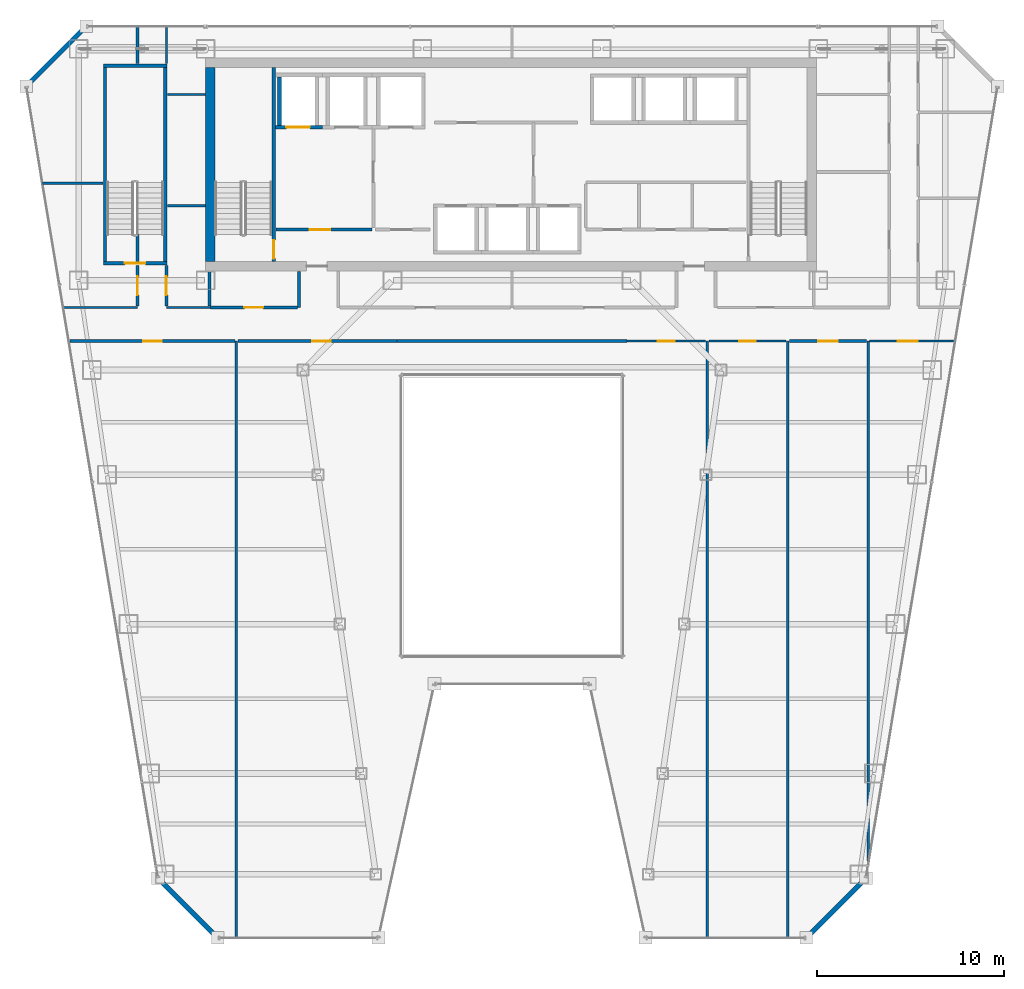
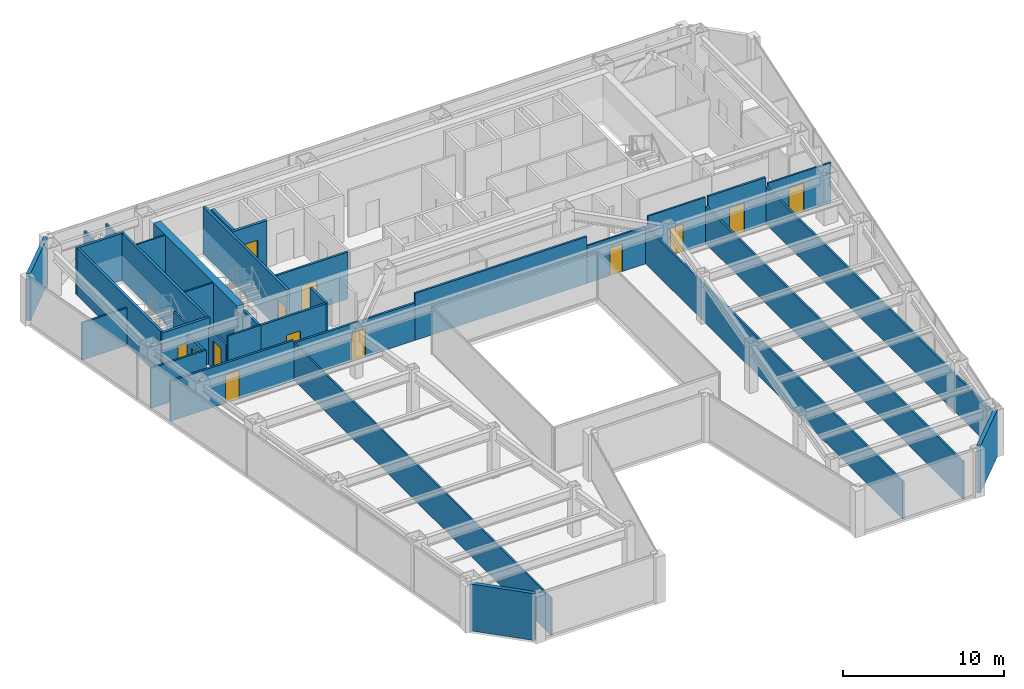
# One storey, part 31 of 37: 36 walls, 13 doors, 13 openings.
"""IFC4 building model written with IfcOpenShell, lengths in metres."""

from ifc_helpers import new_model, si_unit, direction, frame, frame_2d, origin, place, context, subcontext, project, spatial, rectangle, extrude, material, layer, layer_set, type_object, element, fill, save


model = new_model("IFC4")

# Units and contexts
model_context = context("Model", 3, precision=1e-05, world=origin(), true_north=direction((0.0, 1.0)))
body_context = subcontext(model_context, "Body", "Model", "MODEL_VIEW")
ifc_project = project(units=[si_unit("LENGTHUNIT", "METRE"), si_unit("AREAUNIT", "SQUARE_METRE"), si_unit("VOLUMEUNIT", "CUBIC_METRE"), si_unit("PLANEANGLEUNIT", "RADIAN"), si_unit("MASSUNIT", "GRAM", prefix="KILO")], contexts=[model_context])

# Site, building, storey
site_placement = place(None, origin())
site = spatial("IfcSite", under=ifc_project, at=site_placement, CompositionType="ELEMENT")
building_placement = place(site_placement, origin())
building = spatial("IfcBuilding", under=site, at=building_placement, Name="Saevonmaru Cultural Tower", CompositionType="ELEMENT")
storey_placement = place(building_placement, frame((0.0, 0.0, 141.0)))
storey = spatial("IfcBuildingStorey", under=building, at=storey_placement, Name="L30", CompositionType="ELEMENT", Elevation=141.0)

# Wall
ifc_material_1 = material(Name="Concrete C60/75", Category="concrete")
ifc_layer_1 = layer(ifc_material_1, 0.5, Name="Concrete C60/75")
ifc_layer_set_1 = layer_set([ifc_layer_1], Name="Concrete C60/75")
wall_type_1 = type_object("IfcWallType", Name="WL-CORE-500", PredefinedType="SHEAR", material=ifc_layer_set_1)
wall_1_placement = place(storey_placement, frame((13.85009765625, 43.39990234375, 0.0), z_axis=(0.0, 0.0, 1.0), x_axis=(0.0, 1.0, 0.0)))
element("IfcWall", 1, at=wall_1_placement, inside=storey, type_object=wall_type_1, Name="L30 Tower RC core shear wall W", PredefinedType="SHEAR", context=body_context, shape_type="SweptSolid", body=[
    extrude(rectangle(XDim=10.400146484375, YDim=0.5, at=frame_2d((5.2001953125, 0.0))), origin(), (0.0, 0.0, 1.0), 3.550048828125),
])

# Wall, opening, door
ifc_material_2 = material(Name="Gypsum Fireboard Partition", Category="gypsum")
ifc_layer_2 = layer(ifc_material_2, 0.14990234375, Name="Gypsum Fireboard Partition")
ifc_layer_set_2 = layer_set([ifc_layer_2], Name="Gypsum Fireboard Partition")
wall_type_2 = type_object("IfcWallType", Name="WL-CORE-PART-150", PredefinedType="PARTITIONING", material=ifc_layer_set_2)
wall_2_placement = place(storey_placement, frame((17.360107421875, 45.1201171875, 0.0), z_axis=(0.0, 0.0, 1.0), x_axis=(1.0, 0.0, 0.0)))
wall_2 = element("IfcWall", 2, at=wall_2_placement, inside=storey, type_object=wall_type_2, Name="L30 Firefighting Lift Lobby South Wall", PredefinedType="PARTITIONING", context=body_context, shape_type="SweptSolid", body=[
    extrude(rectangle(XDim=5.139892578125, YDim=0.14990234375, at=frame_2d((2.56982421875, 0.0))), origin(), (0.0, 0.0, 1.0), 3.550048828125),
])
opening_1_placement = place(wall_2_placement, frame((1.800048828125, 0.0, 0.0)))
opening_1 = element("IfcOpeningElement", 3, at=opening_1_placement, cuts=wall_2, Name="Opening FD-2", PredefinedType="OPENING", context=body_context, shape_type="SweptSolid", body=[
    extrude(rectangle(XDim=1.10009765625, YDim=2.14990234375, at=frame_2d((0.550048828125, 1.074951171875))), frame((0.0, 0.0849609375, 0.0), z_axis=(0.0, -1.0, 0.0), x_axis=(1.0, 0.0, 0.0)), (0.0, 0.0, 1.0), 0.169921875),
])
ifc_material_3 = material(Name="Satin Bronze Anodised Aluminium", Category="aluminium")
door_type_1 = type_object("IfcDoorType", Name="DR-FD60-1100", OperationType="SINGLE_SWING_LEFT", PredefinedType="DOOR", material=ifc_material_3)
door_1_placement = place(opening_1_placement, origin())
door_1 = element("IfcDoor", 4, at=door_1_placement, inside=storey, type_object=door_type_1, Name="L30 Firefighting Lift Lobby South Door", OperationType="SINGLE_SWING_LEFT", OverallHeight=2.14990234375, OverallWidth=1.10009765625, PredefinedType="DOOR", context=body_context, shape_type="SweptSolid", body=[
    extrude(rectangle(XDim=1.10009765625, YDim=2.14990234375, at=frame_2d((0.550048828125, 1.074951171875))), frame((0.0, 0.02490234375, 0.0), z_axis=(0.0, -1.0, 0.0), x_axis=(1.0, 0.0, 0.0)), (0.0, 0.0, 1.0), 0.050048828125),
])
fill(opening_1, door_1)

# Walls
ifc_material_4 = material(Name="Granite-Clad Precast Concrete C40/50", Category="masonry")
ifc_layer_3 = layer(ifc_material_4, 0.260009765625, Name="Granite-Clad Precast Concrete C40/50")
ifc_layer_set_3 = layer_set([ifc_layer_3], Name="Granite-Clad Precast Concrete C40/50")
wall_type_3 = type_object("IfcWallType", Name="WL-EXT-SPANDREL-260", PredefinedType="STANDARD", material=ifc_layer_set_3)
for number, where, z_axis, x_axis, name in (
    (5, (11.162109375, 10.286865234375, 0.0), (0.0, 0.0, 1.0), (0.70707775441, -0.707135806771, 0.0), "L30 Chamfer Corner Spandrel Wall E1"),
    (6, (45.8642578125, 7.31298828125, 0.0), (0.0, 0.0, 1.0), (0.70707775441, 0.707135806771, 0.0), "L30 Chamfer Corner Spandrel Wall E7"),
):
    element("IfcWall", number, at=place(storey_placement, frame(where, z_axis=z_axis, x_axis=x_axis)), inside=storey, type_object=wall_type_3, Name=name, PredefinedType="STANDARD", context=body_context, shape_type="SweptSolid", body=[
        extrude(rectangle(XDim=4.20556640625, YDim=0.260009765625, at=frame_2d((2.102783203125, 0.0))), origin(), (0.0, 0.0, 1.0), 3.550048828125),
    ])
wall_3_placement = place(storey_placement, frame((7.0869140625, 55.886962890625, 0.0), z_axis=(0.0, 0.0, 1.0), x_axis=(-0.707106781187, -0.707106781187, 0.0)))
element("IfcWall", 7, at=wall_3_placement, inside=storey, type_object=wall_type_3, Name="L30 Chamfer Corner Spandrel Wall E11", PredefinedType="STANDARD", context=body_context, shape_type="SweptSolid", body=[
    extrude(rectangle(XDim=4.205810546875, YDim=0.260009765625, at=frame_2d((2.10302734375, 0.0))), origin(), (0.0, 0.0, 1.0), 3.550048828125),
])

# Wall, opening, door
ifc_layer_4 = layer(ifc_material_2, 0.14990234375, Name="Gypsum Fireboard Partition")
ifc_layer_set_4 = layer_set([ifc_layer_4], Name="Gypsum Fireboard Partition")
wall_type_4 = type_object("IfcWallType", Name="WL-PART-FIRE-150", PredefinedType="PARTITIONING", material=ifc_layer_set_4)
wall_4_placement = place(storey_placement, frame((9.949951171875, 41.030029296875, 0.0), z_axis=(0.0, 0.0, 1.0), x_axis=(0.0, 1.0, 0.0)))
wall_4 = element("IfcWall", 8, at=wall_4_placement, inside=storey, type_object=wall_type_4, Name="L30 Acoustic Chamber Auditorium Corridor Wall", PredefinedType="PARTITIONING", context=body_context, shape_type="SweptSolid", body=[
    extrude(rectangle(XDim=2.169921875, YDim=0.14990234375, at=frame_2d((1.0849609375, 0.0))), origin(), (0.0, 0.0, 1.0), 2.8349609375),
])
opening_2_placement = place(wall_4_placement, frame((0.5849609375, 0.0, 0.0)))
opening_2 = element("IfcOpeningElement", 9, at=opening_2_placement, cuts=wall_4, Name="Opening ID-1B", PredefinedType="OPENING", context=body_context, shape_type="SweptSolid", body=[
    extrude(rectangle(XDim=1.0, YDim=2.14990234375, at=frame_2d((0.5, 1.074951171875))), frame((0.0, 0.0849609375, 0.0), z_axis=(0.0, -1.0, 0.0), x_axis=(1.0, 0.0, 0.0)), (0.0, 0.0, 1.0), 0.169921875),
])
ifc_material_5 = material(Name="Acoustic Stained Oak Timber", Category="wood")
door_type_2 = type_object("IfcDoorType", Name="DR-INT-1000", OperationType="SINGLE_SWING_RIGHT", PredefinedType="DOOR", material=ifc_material_5)
door_2_placement = place(opening_2_placement, origin())
door_2 = element("IfcDoor", 10, at=door_2_placement, inside=storey, type_object=door_type_2, Name="L30 Acoustic Chamber Auditorium Door", OperationType="SINGLE_SWING_LEFT", OverallHeight=2.14990234375, OverallWidth=1.0, PredefinedType="DOOR", context=body_context, shape_type="SweptSolid", body=[
    extrude(rectangle(XDim=1.0, YDim=2.14990234375, at=frame_2d((0.5, 1.074951171875))), frame((0.0, 0.02490234375, 0.0), z_axis=(0.0, -1.0, 0.0), x_axis=(1.0, 0.0, 0.0)), (0.0, 0.0, 1.0), 0.050048828125),
])
fill(opening_2, door_2)

# Walls
wall_5_placement = place(storey_placement, frame((9.949951171875, 43.419921875, 0.0), z_axis=(0.0, 0.0, 1.0), x_axis=(0.0, 1.0, 0.0)))
element("IfcWall", 11, at=wall_5_placement, inside=storey, type_object=wall_type_4, Name="L30 Acoustic Chamber Auditorium Corridor Wall (2)", PredefinedType="PARTITIONING", context=body_context, shape_type="SweptSolid", body=[
    extrude(rectangle(XDim=1.4501953125, YDim=0.14990234375, at=frame_2d((0.72509765625, 0.0))), origin(), (0.0, 0.0, 1.0), 3.550048828125),
])
wall_6_placement = place(storey_placement, frame((9.949951171875, 54.0, 0.0), z_axis=(0.0, 0.0, 1.0), x_axis=(0.0, 1.0, 0.0)))
element("IfcWall", 12, at=wall_6_placement, inside=storey, type_object=wall_type_4, Name="L30 Sound Art Screening Auditorium Corridor Wall", PredefinedType="PARTITIONING", context=body_context, shape_type="SweptSolid", body=[
    extrude(rectangle(XDim=1.9951171875, YDim=0.14990234375, at=frame_2d((0.99755859375, 0.0))), origin(), (0.0, 0.0, 1.0), 2.93505859375),
])

# Wall, opening, door
wall_7_placement = place(storey_placement, frame((11.5, 41.030029296875, 0.0), z_axis=(0.0, 0.0, 1.0), x_axis=(0.0, 1.0, 0.0)))
wall_7 = element("IfcWall", 13, at=wall_7_placement, inside=storey, type_object=wall_type_4, Name="L30 Sound Art Screening Auditorium Corridor Wall", PredefinedType="PARTITIONING", context=body_context, shape_type="SweptSolid", body=[
    extrude(rectangle(XDim=2.169921875, YDim=0.14990234375, at=frame_2d((1.0849609375, 0.0))), origin(), (0.0, 0.0, 1.0), 2.8349609375),
])
opening_3_placement = place(wall_7_placement, frame((0.5849609375, 0.0, 0.0)))
opening_3 = element("IfcOpeningElement", 14, at=opening_3_placement, cuts=wall_7, Name="Opening ID-1B", PredefinedType="OPENING", context=body_context, shape_type="SweptSolid", body=[
    extrude(rectangle(XDim=1.0, YDim=2.14990234375, at=frame_2d((0.5, 1.074951171875))), frame((0.0, 0.0849609375, 0.0), z_axis=(0.0, -1.0, 0.0), x_axis=(1.0, 0.0, 0.0)), (0.0, 0.0, 1.0), 0.169921875),
])
door_3_placement = place(opening_3_placement, origin())
door_3 = element("IfcDoor", 15, at=door_3_placement, inside=storey, type_object=door_type_2, Name="L30 Sound Art Screening Auditorium Door", OperationType="SINGLE_SWING_RIGHT", OverallHeight=2.14990234375, OverallWidth=1.0, PredefinedType="DOOR", context=body_context, shape_type="SweptSolid", body=[
    extrude(rectangle(XDim=1.0, YDim=2.14990234375, at=frame_2d((0.5, 1.074951171875))), frame((0.0, 0.02490234375, 0.0), z_axis=(0.0, -1.0, 0.0), x_axis=(1.0, 0.0, 0.0)), (0.0, 0.0, 1.0), 0.050048828125),
])
fill(opening_3, door_3)

# Walls
wall_8_placement = place(storey_placement, frame((13.800048828125, 41.030029296875, 0.0), z_axis=(0.0, 0.0, 1.0), x_axis=(0.0, 1.0, 0.0)))
element("IfcWall", 16, at=wall_8_placement, inside=storey, type_object=wall_type_4, Name="L30 Core Portal Side Wall W0", PredefinedType="PARTITIONING", context=body_context, shape_type="SweptSolid", body=[
    extrude(rectangle(XDim=1.849853515625, YDim=0.14990234375, at=frame_2d((0.9248046875, 0.0))), origin(), (0.0, 0.0, 1.0), 3.550048828125),
])
wall_9_placement = place(storey_placement, frame((18.60009765625, 40.949951171875, 0.0), z_axis=(0.0, 0.0, 1.0), x_axis=(0.0, 1.0, 0.0)))
element("IfcWall", 17, at=wall_9_placement, inside=storey, type_object=wall_type_4, Name="L30 Core Portal Side Wall W1", PredefinedType="PARTITIONING", context=body_context, shape_type="SweptSolid", body=[
    extrude(rectangle(XDim=1.929931640625, YDim=0.14990234375, at=frame_2d((0.96484375, 0.0))), origin(), (0.0, 0.0, 1.0), 3.550048828125),
])

# Wall, opening, door
wall_10_placement = place(storey_placement, frame((13.85009765625, 40.949951171875, 0.0), z_axis=(0.0, 0.0, 1.0), x_axis=(1.0, 0.0, 0.0)))
wall_10 = element("IfcWall", 18, at=wall_10_placement, inside=storey, type_object=wall_type_4, Name="L30 Acoustic Chamber Auditorium Corridor Wall", PredefinedType="PARTITIONING", context=body_context, shape_type="SweptSolid", body=[
    extrude(rectangle(XDim=4.65478515625, YDim=0.14990234375, at=frame_2d((2.327392578125, 0.0))), origin(), (0.0, 0.0, 1.0), 3.550048828125),
])
opening_4_placement = place(wall_10_placement, frame((1.826904296875, 0.0, 0.0)))
opening_4 = element("IfcOpeningElement", 19, at=opening_4_placement, cuts=wall_10, Name="Opening ID-1B", PredefinedType="OPENING", context=body_context, shape_type="SweptSolid", body=[
    extrude(rectangle(XDim=1.0, YDim=2.14990234375, at=frame_2d((0.5, 1.074951171875))), frame((0.0, 0.0849609375, 0.0), z_axis=(0.0, -1.0, 0.0), x_axis=(1.0, 0.0, 0.0)), (0.0, 0.0, 1.0), 0.169921875),
])
door_4_placement = place(opening_4_placement, origin())
door_4 = element("IfcDoor", 20, at=door_4_placement, inside=storey, type_object=door_type_2, Name="L30 Acoustic Chamber Auditorium Door", OperationType="SINGLE_SWING_RIGHT", OverallHeight=2.14990234375, OverallWidth=1.0, PredefinedType="DOOR", context=body_context, shape_type="SweptSolid", body=[
    extrude(rectangle(XDim=1.0, YDim=2.14990234375, at=frame_2d((0.5, 1.074951171875))), frame((0.0, 0.02490234375, 0.0), z_axis=(0.0, -1.0, 0.0), x_axis=(1.0, 0.0, 0.0)), (0.0, 0.0, 1.0), 0.050048828125),
])
fill(opening_4, door_4)

wall_11_placement = place(storey_placement, frame((6.333984375, 39.14990234375, 0.0), z_axis=(0.0, 0.0, 1.0), x_axis=(1.0, 0.0, 0.0)))
wall_11 = element("IfcWall", 21, at=wall_11_placement, inside=storey, type_object=wall_type_4, Name="L30 Acoustic Chamber Auditorium Corridor Wall", PredefinedType="PARTITIONING", context=body_context, shape_type="SweptSolid", body=[
    extrude(rectangle(XDim=8.825927734375, YDim=0.14990234375, at=frame_2d((4.4130859375, 0.0))), origin(), (0.0, 0.0, 1.0), 3.034912109375),
])
opening_5_placement = place(wall_11_placement, frame((3.9130859375, 0.0, 0.0)))
opening_5 = element("IfcOpeningElement", 22, at=opening_5_placement, cuts=wall_11, Name="Opening ID-1B", PredefinedType="OPENING", context=body_context, shape_type="SweptSolid", body=[
    extrude(rectangle(XDim=1.0, YDim=2.14990234375, at=frame_2d((0.5, 1.074951171875))), frame((0.0, 0.0849609375, 0.0), z_axis=(0.0, -1.0, 0.0), x_axis=(1.0, 0.0, 0.0)), (0.0, 0.0, 1.0), 0.169921875),
])
door_5_placement = place(opening_5_placement, origin())
door_5 = element("IfcDoor", 23, at=door_5_placement, inside=storey, type_object=door_type_2, Name="L30 Acoustic Chamber Auditorium Door", OperationType="SINGLE_SWING_RIGHT", OverallHeight=2.14990234375, OverallWidth=1.0, PredefinedType="DOOR", context=body_context, shape_type="SweptSolid", body=[
    extrude(rectangle(XDim=1.0, YDim=2.14990234375, at=frame_2d((0.5, 1.074951171875))), frame((0.0, 0.02490234375, 0.0), z_axis=(0.0, -1.0, 0.0), x_axis=(1.0, 0.0, 0.0)), (0.0, 0.0, 1.0), 0.050048828125),
])
fill(opening_5, door_5)

wall_12_placement = place(storey_placement, frame((15.320068359375, 39.14990234375, 0.0), z_axis=(0.0, 0.0, 1.0), x_axis=(1.0, 0.0, 0.0)))
wall_12 = element("IfcWall", 24, at=wall_12_placement, inside=storey, type_object=wall_type_4, Name="L30 Sound Art Screening Auditorium Corridor Wall", PredefinedType="PARTITIONING", context=body_context, shape_type="SweptSolid", body=[
    extrude(rectangle(XDim=8.530029296875, YDim=0.14990234375, at=frame_2d((4.26513671875, 0.0))), origin(), (0.0, 0.0, 1.0), 2.8349609375),
])
opening_6_placement = place(wall_12_placement, frame((3.985107421875, 0.0, 0.0)))
opening_6 = element("IfcOpeningElement", 25, at=opening_6_placement, cuts=wall_12, Name="Opening ID-1B", PredefinedType="OPENING", context=body_context, shape_type="SweptSolid", body=[
    extrude(rectangle(XDim=1.0, YDim=2.14990234375, at=frame_2d((0.5, 1.074951171875))), frame((0.0, 0.0849609375, 0.0), z_axis=(0.0, -1.0, 0.0), x_axis=(1.0, 0.0, 0.0)), (0.0, 0.0, 1.0), 0.169921875),
])
door_6_placement = place(opening_6_placement, origin())
door_6 = element("IfcDoor", 26, at=door_6_placement, inside=storey, type_object=door_type_2, Name="L30 Sound Art Screening Auditorium Door", OperationType="SINGLE_SWING_LEFT", OverallHeight=2.14990234375, OverallWidth=1.0, PredefinedType="DOOR", context=body_context, shape_type="SweptSolid", body=[
    extrude(rectangle(XDim=1.0, YDim=2.14990234375, at=frame_2d((0.5, 1.074951171875))), frame((0.0, 0.02490234375, 0.0), z_axis=(0.0, -1.0, 0.0), x_axis=(1.0, 0.0, 0.0)), (0.0, 0.0, 1.0), 0.050048828125),
])
fill(opening_6, door_6)

# Wall
wall_13_placement = place(storey_placement, frame((23.85009765625, 39.14990234375, 0.0), z_axis=(0.0, 0.0, 1.0), x_axis=(1.0, 0.0, 0.0)))
element("IfcWall", 27, at=wall_13_placement, inside=storey, type_object=wall_type_4, Name="L30 North Atrium Corridor Wall", PredefinedType="PARTITIONING", context=body_context, shape_type="SweptSolid", body=[
    extrude(rectangle(XDim=12.2998046875, YDim=0.14990234375, at=frame_2d((6.14990234375, 0.0))), origin(), (0.0, 0.0, 1.0), 3.550048828125),
])

# Wall, opening, door
wall_14_placement = place(storey_placement, frame((44.847412109375, 39.14990234375, 0.0), z_axis=(0.0, 0.0, 1.0), x_axis=(1.0, 0.0, 0.0)))
wall_14 = element("IfcWall", 28, at=wall_14_placement, inside=storey, type_object=wall_type_4, Name="L30 Sky Observatory Gallery Corridor Wall", PredefinedType="PARTITIONING", context=body_context, shape_type="SweptSolid", body=[
    extrude(rectangle(XDim=4.125, YDim=0.14990234375, at=frame_2d((2.0625, 0.0))), origin(), (0.0, 0.0, 1.0), 3.550048828125),
])
opening_7_placement = place(wall_14_placement, frame((1.5380859375, 0.0, 0.0)))
opening_7 = element("IfcOpeningElement", 29, at=opening_7_placement, cuts=wall_14, Name="Opening ID-1", PredefinedType="OPENING", context=body_context, shape_type="SweptSolid", body=[
    extrude(rectangle(XDim=1.050048828125, YDim=2.14990234375, at=frame_2d((0.52490234375, 1.074951171875))), frame((0.0, 0.0849609375, 0.0), z_axis=(0.0, -1.0, 0.0), x_axis=(1.0, 0.0, 0.0)), (0.0, 0.0, 1.0), 0.169921875),
])
door_type_3 = type_object("IfcDoorType", Name="DR-INT-1050", OperationType="SINGLE_SWING_LEFT", PredefinedType="DOOR", material=ifc_material_3)
door_7_placement = place(opening_7_placement, origin())
door_7 = element("IfcDoor", 30, at=door_7_placement, inside=storey, type_object=door_type_3, Name="L30 Sky Observatory Gallery Door", OperationType="SINGLE_SWING_RIGHT", OverallHeight=2.14990234375, OverallWidth=1.050048828125, PredefinedType="DOOR", context=body_context, shape_type="SweptSolid", body=[
    extrude(rectangle(XDim=1.050048828125, YDim=2.14990234375, at=frame_2d((0.52490234375, 1.074951171875))), frame((0.0, 0.02490234375, 0.0), z_axis=(0.0, -1.0, 0.0), x_axis=(1.0, 0.0, 0.0)), (0.0, 0.0, 1.0), 0.050048828125),
])
fill(opening_7, door_7)

# Walls
ifc_layer_5 = layer(ifc_material_2, 0.1201171875, Name="Gypsum Fireboard Partition")
ifc_layer_set_5 = layer_set([ifc_layer_5], Name="Gypsum Fireboard Partition")
wall_type_5 = type_object("IfcWallType", Name="WL-PART-GYP-120", PredefinedType="PARTITIONING", material=ifc_layer_set_5)
wall_15_placement = place(storey_placement, frame((5.97509765625, 40.949951171875, 0.0), z_axis=(0.0, 0.0, 1.0), x_axis=(1.0, 0.0, 0.0)))
element("IfcWall", 31, at=wall_15_placement, inside=storey, type_object=wall_type_5, Name="L30 NW Wing South Wall", PredefinedType="PARTITIONING", context=body_context, shape_type="SweptSolid", body=[
    extrude(rectangle(XDim=3.974853515625, YDim=0.1201171875, at=frame_2d((1.9873046875, 0.0))), origin(), (0.0, 0.0, 1.0), 3.034912109375),
])
wall_16_placement = place(storey_placement, frame((11.5, 40.949951171875, 0.0), z_axis=(0.0, 0.0, 1.0), x_axis=(1.0, 0.0, 0.0)))
element("IfcWall", 32, at=wall_16_placement, inside=storey, type_object=wall_type_5, Name="L30 NW Inner South Wall", PredefinedType="PARTITIONING", context=body_context, shape_type="SweptSolid", body=[
    extrude(rectangle(XDim=2.35009765625, YDim=0.1201171875, at=frame_2d((1.175048828125, 0.0))), origin(), (0.0, 0.0, 1.0), 3.550048828125),
])
wall_17_placement = place(storey_placement, frame((11.550048828125, 52.35009765625, 0.0), z_axis=(0.0, 0.0, 1.0), x_axis=(1.0, 0.0, 0.0)))
element("IfcWall", 33, at=wall_17_placement, inside=storey, type_object=wall_type_5, Name="L30 North-West Panorama South Wall", PredefinedType="PARTITIONING", context=body_context, shape_type="SweptSolid", body=[
    extrude(rectangle(XDim=2.030029296875, YDim=0.1201171875, at=frame_2d((1.01513671875, 0.0))), origin(), (0.0, 0.0, 1.0), 3.550048828125),
])
wall_18_placement = place(storey_placement, frame((11.5, 54.0, 0.0), z_axis=(0.0, 0.0, 1.0), x_axis=(0.0, 1.0, 0.0)))
element("IfcWall", 34, at=wall_18_placement, inside=storey, type_object=wall_type_5, Name="L30 Civic Policy Meeting Room Corridor Wall", PredefinedType="PARTITIONING", context=body_context, shape_type="SweptSolid", body=[
    extrude(rectangle(XDim=1.9951171875, YDim=0.1201171875, at=frame_2d((0.99755859375, 0.0))), origin(), (0.0, 0.0, 1.0), 2.93505859375),
])
wall_19_placement = place(storey_placement, frame((4.86962890625, 47.60009765625, 0.0), z_axis=(0.0, 0.0, 1.0), x_axis=(1.0, 0.0, 0.0)))
element("IfcWall", 35, at=wall_19_placement, inside=storey, type_object=wall_type_5, Name="L30 NW Studio Divider 1", PredefinedType="PARTITIONING", context=body_context, shape_type="SweptSolid", body=[
    extrude(rectangle(XDim=3.23046875, YDim=0.1201171875, at=frame_2d((1.615234375, 0.0))), origin(), (0.0, 0.0, 1.0), 2.8349609375),
])
wall_20_placement = place(storey_placement, frame((11.550048828125, 46.39990234375, 0.0), z_axis=(0.0, 0.0, 1.0), x_axis=(1.0, 0.0, 0.0)))
element("IfcWall", 36, at=wall_20_placement, inside=storey, type_object=wall_type_5, Name="L30 NW Inner Divider", PredefinedType="PARTITIONING", context=body_context, shape_type="SweptSolid", body=[
    extrude(rectangle(XDim=2.030029296875, YDim=0.1201171875, at=frame_2d((1.01513671875, 0.0))), origin(), (0.0, 0.0, 1.0), 3.550048828125),
])
wall_21_placement = place(storey_placement, frame((15.239990234375, 7.205078125, 0.0), z_axis=(0.0, 0.0, 1.0), x_axis=(0.0, 1.0, 0.0)))
element("IfcWall", 37, at=wall_21_placement, inside=storey, type_object=wall_type_5, Name="L30 West Bay Divider 1", PredefinedType="PARTITIONING", context=body_context, shape_type="SweptSolid", body=[
    extrude(rectangle(XDim=31.94482421875, YDim=0.1201171875, at=frame_2d((15.972412109375, 0.0))), origin(), (0.0, 0.0, 1.0), 2.8349609375),
])

# Wall, opening, door
wall_22_placement = place(storey_placement, frame((36.14990234375, 39.14990234375, 0.0), z_axis=(0.0, 0.0, 1.0), x_axis=(1.0, 0.0, 0.0)))
wall_22 = element("IfcWall", 38, at=wall_22_placement, inside=storey, type_object=wall_type_5, Name="L30 Civic Policy Meeting Room Corridor Wall", PredefinedType="PARTITIONING", context=body_context, shape_type="SweptSolid", body=[
    extrude(rectangle(XDim=4.212646484375, YDim=0.1201171875, at=frame_2d((2.1064453125, 0.0))), origin(), (0.0, 0.0, 1.0), 2.8349609375),
])
opening_8_placement = place(wall_22_placement, frame((1.656005859375, 0.0, 0.0)))
opening_8 = element("IfcOpeningElement", 39, at=opening_8_placement, cuts=wall_22, Name="Opening ID-2", PredefinedType="OPENING", context=body_context, shape_type="SweptSolid", body=[
    extrude(rectangle(XDim=0.89990234375, YDim=2.10009765625, at=frame_2d((0.449951171875, 1.050048828125))), frame((0.0, 0.070068359375, 0.0), z_axis=(0.0, -1.0, 0.0), x_axis=(1.0, 0.0, 0.0)), (0.0, 0.0, 1.0), 0.14013671875),
])
door_type_4 = type_object("IfcDoorType", Name="DR-INT-900", OperationType="SINGLE_SWING_RIGHT", PredefinedType="DOOR", material=ifc_material_5)
door_8_placement = place(opening_8_placement, origin())
door_8 = element("IfcDoor", 40, at=door_8_placement, inside=storey, type_object=door_type_4, Name="L30 Civic Policy Meeting Room Door", OperationType="SINGLE_SWING_RIGHT", OverallHeight=2.10009765625, OverallWidth=0.89990234375, PredefinedType="DOOR", context=body_context, shape_type="SweptSolid", body=[
    extrude(rectangle(XDim=0.89990234375, YDim=2.10009765625, at=frame_2d((0.449951171875, 1.050048828125))), frame((0.0, 0.02490234375, 0.0), z_axis=(0.0, -1.0, 0.0), x_axis=(1.0, 0.0, 0.0)), (0.0, 0.0, 1.0), 0.050048828125),
])
fill(opening_8, door_8)

wall_23_placement = place(storey_placement, frame((40.53759765625, 39.14990234375, 0.0), z_axis=(0.0, 0.0, 1.0), x_axis=(1.0, 0.0, 0.0)))
wall_23 = element("IfcWall", 41, at=wall_23_placement, inside=storey, type_object=wall_type_5, Name="L30 Scholarly Colloquium Meeting Room Corridor Wall", PredefinedType="PARTITIONING", context=body_context, shape_type="SweptSolid", body=[
    extrude(rectangle(XDim=4.135009765625, YDim=0.1201171875, at=frame_2d((2.0673828125, 0.0))), origin(), (0.0, 0.0, 1.0), 3.550048828125),
])
opening_9_placement = place(wall_23_placement, frame((1.616943359375, 0.0, 0.0)))
opening_9 = element("IfcOpeningElement", 42, at=opening_9_placement, cuts=wall_23, Name="Opening ID-2", PredefinedType="OPENING", context=body_context, shape_type="SweptSolid", body=[
    extrude(rectangle(XDim=0.89990234375, YDim=2.10009765625, at=frame_2d((0.449951171875, 1.050048828125))), frame((0.0, 0.070068359375, 0.0), z_axis=(0.0, -1.0, 0.0), x_axis=(1.0, 0.0, 0.0)), (0.0, 0.0, 1.0), 0.14013671875),
])
door_9_placement = place(opening_9_placement, origin())
door_9 = element("IfcDoor", 43, at=door_9_placement, inside=storey, type_object=door_type_4, Name="L30 Scholarly Colloquium Meeting Room Door", OperationType="SINGLE_SWING_LEFT", OverallHeight=2.10009765625, OverallWidth=0.89990234375, PredefinedType="DOOR", context=body_context, shape_type="SweptSolid", body=[
    extrude(rectangle(XDim=0.89990234375, YDim=2.10009765625, at=frame_2d((0.449951171875, 1.050048828125))), frame((0.0, 0.02490234375, 0.0), z_axis=(0.0, -1.0, 0.0), x_axis=(1.0, 0.0, 0.0)), (0.0, 0.0, 1.0), 0.050048828125),
])
fill(opening_9, door_9)

wall_24_placement = place(storey_placement, frame((49.1474609375, 39.14990234375, 0.0), z_axis=(0.0, 0.0, 1.0), x_axis=(1.0, 0.0, 0.0)))
wall_24 = element("IfcWall", 44, at=wall_24_placement, inside=storey, type_object=wall_type_5, Name="L30 Panorama Reading Room Corridor Wall", PredefinedType="PARTITIONING", context=body_context, shape_type="SweptSolid", body=[
    extrude(rectangle(XDim=4.5185546875, YDim=0.1201171875, at=frame_2d((2.25927734375, 0.0))), origin(), (0.0, 0.0, 1.0), 3.034912109375),
])
opening_10_placement = place(wall_24_placement, frame((1.513916015625, 0.0, 0.0)))
opening_10 = element("IfcOpeningElement", 45, at=opening_10_placement, cuts=wall_24, Name="Opening ID-1", PredefinedType="OPENING", context=body_context, shape_type="SweptSolid", body=[
    extrude(rectangle(XDim=1.050048828125, YDim=2.14990234375, at=frame_2d((0.52490234375, 1.074951171875))), frame((0.0, 0.070068359375, 0.0), z_axis=(0.0, -1.0, 0.0), x_axis=(1.0, 0.0, 0.0)), (0.0, 0.0, 1.0), 0.14013671875),
])
door_10_placement = place(opening_10_placement, origin())
door_10 = element("IfcDoor", 46, at=door_10_placement, inside=storey, type_object=door_type_3, Name="L30 Panorama Reading Room Door", OperationType="SINGLE_SWING_LEFT", OverallHeight=2.14990234375, OverallWidth=1.050048828125, PredefinedType="DOOR", context=body_context, shape_type="SweptSolid", body=[
    extrude(rectangle(XDim=1.050048828125, YDim=2.14990234375, at=frame_2d((0.52490234375, 1.074951171875))), frame((0.0, 0.02490234375, 0.0), z_axis=(0.0, -1.0, 0.0), x_axis=(1.0, 0.0, 0.0)), (0.0, 0.0, 1.0), 0.050048828125),
])
fill(opening_10, door_10)

# Walls
ifc_layer_6 = layer(ifc_material_2, 0.135009765625, Name="Gypsum Fireboard Partition")
ifc_layer_set_6 = layer_set([ifc_layer_6], Name="Gypsum Fireboard Partition")
wall_type_6 = type_object("IfcWallType", Name="WL-PART-GYP-135", PredefinedType="PARTITIONING", material=ifc_layer_set_6)
for number, where, z_axis, x_axis, name in (
    (47, (40.449951171875, 7.205078125, 0.0), (0.0, 0.0, 1.0), (0.0, 1.0, 0.0), "L30 East Bay Divider 1"),
    (48, (44.760009765625, 7.205078125, 0.0), (0.0, 0.0, 1.0), (0.0, 1.0, 0.0), "L30 East Bay Divider 2"),
):
    element("IfcWall", number, at=place(storey_placement, frame(where, z_axis=z_axis, x_axis=x_axis)), inside=storey, type_object=wall_type_6, Name=name, PredefinedType="PARTITIONING", context=body_context, shape_type="SweptSolid", body=[
        extrude(rectangle(XDim=31.94482421875, YDim=0.135009765625, at=frame_2d((15.972412109375, 0.0))), origin(), (0.0, 0.0, 1.0), 2.8349609375),
    ])
wall_25_placement = place(storey_placement, frame((49.06005859375, 11.08544921875, 0.0), z_axis=(0.0, 0.0, 1.0), x_axis=(0.0, 1.0, 0.0)))
element("IfcWall", 49, at=wall_25_placement, inside=storey, type_object=wall_type_6, Name="L30 East Bay Divider 3", PredefinedType="PARTITIONING", context=body_context, shape_type="SweptSolid", body=[
    extrude(rectangle(XDim=28.064453125, YDim=0.135009765625, at=frame_2d((14.0322265625, 0.0))), origin(), (0.0, 0.0, 1.0), 2.8349609375),
])

# Wall, opening, door
ifc_material_6 = material(Name="Concrete C40/50", Category="concrete")
ifc_layer_7 = layer(ifc_material_6, 0.199951171875, Name="Concrete C40/50")
ifc_layer_set_7 = layer_set([ifc_layer_7], Name="Concrete C40/50")
wall_type_7 = type_object("IfcWallType", Name="WL-SHAFT-200", PredefinedType="SHEAR", material=ifc_layer_set_7)
wall_26_placement = place(storey_placement, frame((17.330078125, 50.60009765625, 0.0), z_axis=(0.0, 0.0, 1.0), x_axis=(1.0, 0.0, 0.0)))
wall_26 = element("IfcWall", 50, at=wall_26_placement, inside=storey, type_object=wall_type_7, Name="L30 Lift FFL-1 Hoistway Wall S", PredefinedType="SHEAR", context=body_context, shape_type="SweptSolid", body=[
    extrude(rectangle(XDim=2.52001953125, YDim=0.199951171875, at=frame_2d((1.260009765625, 0.0))), origin(), (0.0, 0.0, 1.0), 3.550048828125),
])
opening_11_placement = place(wall_26_placement, frame((0.594970703125, 0.0, 0.0)))
opening_11 = element("IfcOpeningElement", 51, at=opening_11_placement, cuts=wall_26, Name="Opening LD-2", PredefinedType="OPENING", context=body_context, shape_type="SweptSolid", body=[
    extrude(rectangle(XDim=1.25, YDim=2.300048828125, at=frame_2d((0.625, 1.14990234375))), frame((0.0, 0.10986328125, 0.0), z_axis=(0.0, -1.0, 0.0), x_axis=(1.0, 0.0, 0.0)), (0.0, 0.0, 1.0), 0.219970703125),
])
ifc_material_7 = material(Name="Stainless Steel 316", Category="steel")
door_type_5 = type_object("IfcDoorType", Name="DR-LIFT-1250", OperationType="SLIDING_TO_LEFT", PredefinedType="DOOR", material=ifc_material_7)
door_11_placement = place(opening_11_placement, origin())
door_11 = element("IfcDoor", 52, at=door_11_placement, inside=storey, type_object=door_type_5, Name="L30 Lift FFL-1 Sliding Landing Door", OperationType="SLIDING_TO_LEFT", OverallHeight=2.300048828125, OverallWidth=1.25, PredefinedType="DOOR", context=body_context, shape_type="SweptSolid", body=[
    extrude(rectangle(XDim=1.25, YDim=2.300048828125, at=frame_2d((0.625, 1.14990234375))), frame((0.0, 0.02490234375, 0.0), z_axis=(0.0, -1.0, 0.0), x_axis=(1.0, 0.0, 0.0)), (0.0, 0.0, 1.0), 0.050048828125),
])
fill(opening_11, door_11)

# Wall
wall_27_placement = place(storey_placement, frame((17.550048828125, 50.699951171875, 0.0), z_axis=(0.0, 0.0, 1.0), x_axis=(0.0, 1.0, 0.0)))
element("IfcWall", 53, at=wall_27_placement, inside=storey, type_object=wall_type_7, Name="L30 Lift FFL-1 Hoistway Wall W", PredefinedType="SHEAR", context=body_context, shape_type="SweptSolid", body=[
    extrude(rectangle(XDim=2.60009765625, YDim=0.199951171875, at=frame_2d((1.300048828125, 0.0))), origin(), (0.0, 0.0, 1.0), 3.550048828125),
])

# Wall, opening, door
ifc_layer_8 = layer(ifc_material_6, 0.179931640625, Name="Concrete C40/50")
ifc_layer_set_8 = layer_set([ifc_layer_8], Name="Concrete C40/50")
wall_type_8 = type_object("IfcWallType", Name="WL-STSHAFT-180", PredefinedType="SHEAR", material=ifc_layer_set_8)
wall_28_placement = place(storey_placement, frame((17.239990234375, 43.39990234375, 0.0), z_axis=(0.0, 0.0, 1.0), x_axis=(0.0, 1.0, 0.0)))
wall_28 = element("IfcWall", 54, at=wall_28_placement, inside=storey, type_object=wall_type_8, Name="L30 Stair ST-1 Structural Shaft Wall 1", PredefinedType="SHEAR", context=body_context, shape_type="SweptSolid", body=[
    extrude(rectangle(XDim=10.400146484375, YDim=0.179931640625, at=frame_2d((5.2001953125, 0.0))), origin(), (0.0, 0.0, 1.0), 3.550048828125),
])
opening_12_placement = place(wall_28_placement, frame((0.159912109375, 0.0, 0.0)))
opening_12 = element("IfcOpeningElement", 55, at=opening_12_placement, cuts=wall_28, Name="Opening FD-3", PredefinedType="OPENING", context=body_context, shape_type="SweptSolid", body=[
    extrude(rectangle(XDim=1.0, YDim=2.14990234375, at=frame_2d((0.5, 1.074951171875))), frame((0.0, 0.10009765625, 0.0), z_axis=(0.0, -1.0, 0.0), x_axis=(1.0, 0.0, 0.0)), (0.0, 0.0, 1.0), 0.199951171875),
])
door_type_6 = type_object("IfcDoorType", Name="DR-FD60-1000", OperationType="SINGLE_SWING_RIGHT", PredefinedType="DOOR", material=ifc_material_3)
door_12_placement = place(opening_12_placement, origin())
door_12 = element("IfcDoor", 56, at=door_12_placement, inside=storey, type_object=door_type_6, Name="L30 Protected Stair ST-1 Fire Door", OperationType="SINGLE_SWING_RIGHT", OverallHeight=2.14990234375, OverallWidth=1.0, PredefinedType="DOOR", context=body_context, shape_type="SweptSolid", body=[
    extrude(rectangle(XDim=1.0, YDim=2.14990234375, at=frame_2d((0.5, 1.074951171875))), frame((0.0, 0.02490234375, 0.0), z_axis=(0.0, -1.0, 0.0), x_axis=(1.0, 0.0, 0.0)), (0.0, 0.0, 1.0), 0.050048828125),
])
fill(opening_12, door_12)

wall_29_placement = place(storey_placement, frame((8.1201171875, 43.31005859375, 0.0), z_axis=(0.0, 0.0, 1.0), x_axis=(1.0, 0.0, 0.0)))
wall_29 = element("IfcWall", 57, at=wall_29_placement, inside=storey, type_object=wall_type_8, Name="L30 Stair ST-3 Structural Shaft Wall 1", PredefinedType="SHEAR", context=body_context, shape_type="SweptSolid", body=[
    extrude(rectangle(XDim=3.409912109375, YDim=0.179931640625, at=frame_2d((1.705078125, 0.0))), origin(), (0.0, 0.0, 1.0), 3.550048828125),
])
opening_13_placement = place(wall_29_placement, frame((1.14990234375, 0.0, 0.0)))
opening_13 = element("IfcOpeningElement", 58, at=opening_13_placement, cuts=wall_29, Name="Opening FD-2", PredefinedType="OPENING", context=body_context, shape_type="SweptSolid", body=[
    extrude(rectangle(XDim=1.10009765625, YDim=2.14990234375, at=frame_2d((0.550048828125, 1.074951171875))), frame((0.0, 0.10009765625, 0.0), z_axis=(0.0, -1.0, 0.0), x_axis=(1.0, 0.0, 0.0)), (0.0, 0.0, 1.0), 0.199951171875),
])
door_13_placement = place(opening_13_placement, origin())
door_13 = element("IfcDoor", 59, at=door_13_placement, inside=storey, type_object=door_type_1, Name="L30 Protected Stair ST-3 Fire Door", OperationType="SINGLE_SWING_LEFT", OverallHeight=2.14990234375, OverallWidth=1.10009765625, PredefinedType="DOOR", context=body_context, shape_type="SweptSolid", body=[
    extrude(rectangle(XDim=1.10009765625, YDim=2.14990234375, at=frame_2d((0.550048828125, 1.074951171875))), frame((0.0, 0.02490234375, 0.0), z_axis=(0.0, -1.0, 0.0), x_axis=(1.0, 0.0, 0.0)), (0.0, 0.0, 1.0), 0.050048828125),
])
fill(opening_13, door_13)

# Walls
wall_30_placement = place(storey_placement, frame((11.43994140625, 43.39990234375, 0.0), z_axis=(0.0, 0.0, 1.0), x_axis=(0.0, 1.0, 0.0)))
element("IfcWall", 60, at=wall_30_placement, inside=storey, type_object=wall_type_8, Name="L30 Stair ST-3 Structural Shaft Wall 2", PredefinedType="SHEAR", context=body_context, shape_type="SweptSolid", body=[
    extrude(rectangle(XDim=10.400146484375, YDim=0.179931640625, at=frame_2d((5.2001953125, 0.0))), origin(), (0.0, 0.0, 1.0), 3.550048828125),
])
wall_31_placement = place(storey_placement, frame((11.530029296875, 53.889892578125, 0.0), z_axis=(0.0, 0.0, 1.0), x_axis=(-1.0, 0.0, 0.0)))
element("IfcWall", 61, at=wall_31_placement, inside=storey, type_object=wall_type_8, Name="L30 Stair ST-3 Structural Shaft Wall 3", PredefinedType="SHEAR", context=body_context, shape_type="SweptSolid", body=[
    extrude(rectangle(XDim=3.409912109375, YDim=0.179931640625, at=frame_2d((1.705078125, 0.0))), origin(), (0.0, 0.0, 1.0), 3.550048828125),
])
wall_32_placement = place(storey_placement, frame((8.2099609375, 53.800048828125, 0.0), z_axis=(0.0, 0.0, 1.0), x_axis=(0.0, -1.0, 0.0)))
element("IfcWall", 62, at=wall_32_placement, inside=storey, type_object=wall_type_8, Name="L30 Stair ST-3 Structural Shaft Wall 4", PredefinedType="SHEAR", context=body_context, shape_type="SweptSolid", body=[
    extrude(rectangle(XDim=10.400146484375, YDim=0.179931640625, at=frame_2d((5.2001953125, 0.0))), origin(), (0.0, 0.0, 1.0), 3.550048828125),
])

save(model, "model.ifc")
